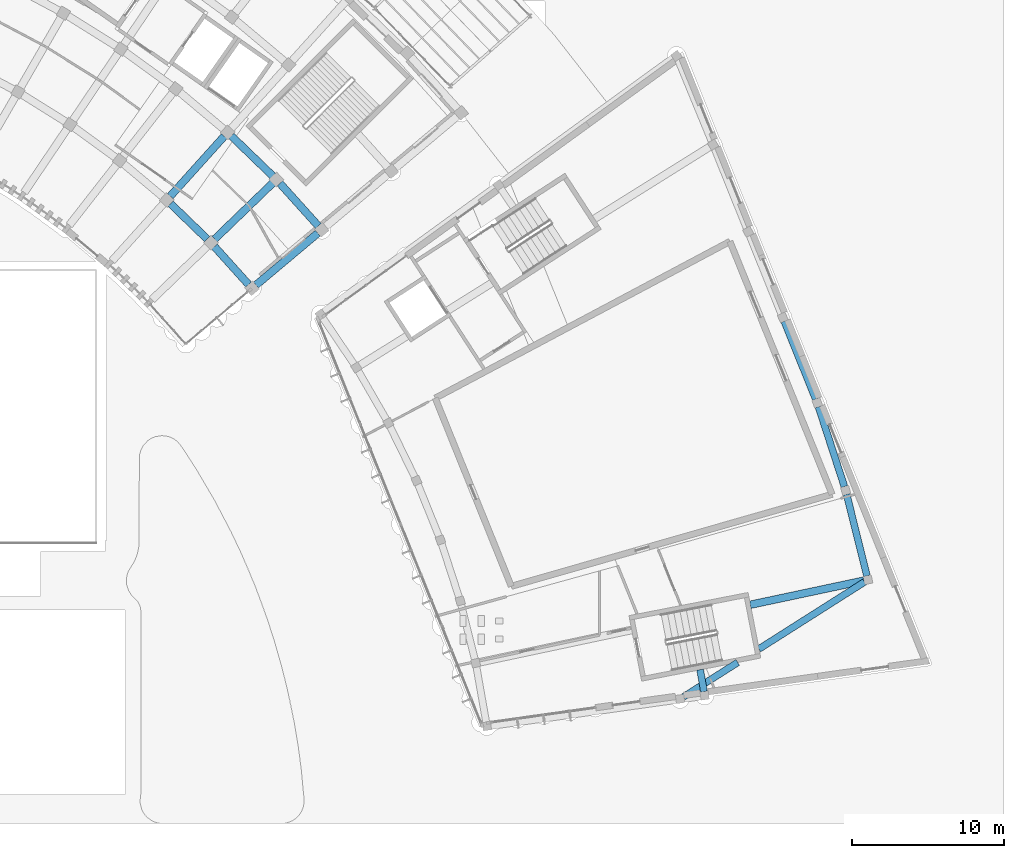
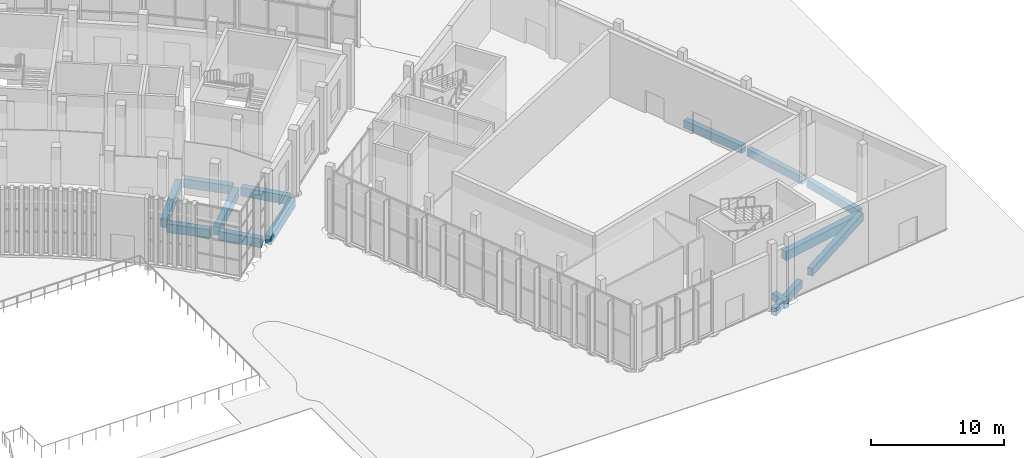
# One storey, part 52 of 155: 14 beams.
"""IFC4 building model written with IfcOpenShell, lengths in metres."""

import ifcopenshell
import ifcopenshell.guid

model = None  # the IFC model being written
_history = None  # IfcOwnerHistory: only IFC2X3 demands one
_inside = {}  # id of a spatial element -> (the spatial element, [elements in it])
_under = {}  # id of a project, library or spatial element -> (it, [spatial elements below it])
_declared = {}  # id of a project -> (the project, [libraries it declares])
_typed = {}  # id of a type object -> (the type object, [elements of that type])
_made_of = {}  # id of a material, layer set ... -> (it, [elements and type objects made of it])


def new_model(schema):
    """Start an empty IFC model of exactly this schema.

    Asked for "IFC4X3", IfcOpenShell would pick the latest addendum, in which some entities
    have other attributes; the version numbers below select the first issue.
    IFC2X3 requires an IfcOwnerHistory on every rooted entity: one is made here for all.
    """
    global model, _history
    if schema == "IFC4X3":
        model = ifcopenshell.file(schema_version=(4, 3, 0, 0))
    else:
        model = ifcopenshell.file(schema=schema)
    _inside.clear()
    _under.clear()
    _declared.clear()
    _typed.clear()
    _made_of.clear()
    _history = None
    if model.schema == "IFC2X3":
        org = make("IfcOrganization", Name="unknown")
        user = make(
            "IfcPersonAndOrganization",
            ThePerson=make("IfcPerson", FamilyName="unknown"),
            TheOrganization=org,
        )
        app = make(
            "IfcApplication",
            ApplicationDeveloper=org,
            Version="unknown",
            ApplicationFullName="unknown",
            ApplicationIdentifier="unknown",
        )
        _history = make(
            "IfcOwnerHistory",
            OwningUser=user,
            OwningApplication=app,
            ChangeAction="ADDED",
            CreationDate=0,
        )
    return model


def make(cls, **values):
    """One entity of the class cls with the attributes given. An attribute that is None is left unset."""
    return model.create_entity(
        cls, **{name: value for name, value in values.items() if value is not None}
    )


def rooted(cls, **values):
    """An entity with a GlobalId (a new one), such as an element, a storey or a relation."""
    return make(cls, GlobalId=ifcopenshell.guid.new(), OwnerHistory=_history, **values)


def si_unit(unit_type, name, prefix=None):
    """IfcSIUnit, for example si_unit("LENGTHUNIT", "METRE", prefix="MILLI")."""
    return make("IfcSIUnit", UnitType=unit_type, Prefix=prefix, Name=name)


def assignment(units):
    """IfcUnitAssignment: the units of a project."""
    return None if units is None else make("IfcUnitAssignment", Units=units)


def point(xyz):
    """IfcCartesianPoint."""
    return None if xyz is None else make("IfcCartesianPoint", Coordinates=xyz)


def direction(xyz):
    """IfcDirection."""
    return None if xyz is None else make("IfcDirection", DirectionRatios=xyz)


def frame(location, z_axis=None, x_axis=None):
    """IfcAxis2Placement3D, a coordinate frame: its origin and axes. An axis left out is left unset."""
    return make(
        "IfcAxis2Placement3D",
        Location=point(location),
        Axis=direction(z_axis),
        RefDirection=direction(x_axis),
    )


def frame_2d(location, x_axis=None):
    """IfcAxis2Placement2D, a coordinate frame in the plane: its origin and x axis."""
    return make(
        "IfcAxis2Placement2D", Location=point(location), RefDirection=direction(x_axis)
    )


def origin():
    """The frame at (0, 0, 0) with its axes left unset."""
    return frame((0.0, 0.0, 0.0))


def origin_2d():
    """The frame at (0, 0) in the plane with its x axis left unset."""
    return frame_2d((0.0, 0.0))


def place(relative_to, where):
    """IfcLocalPlacement: puts the frame where relative to a parent placement (None: the world)."""
    return make(
        "IfcLocalPlacement", PlacementRelTo=relative_to, RelativePlacement=where
    )


def context(
    kind, dimensions, precision=None, world=None, true_north=None, identifier=None
):
    """IfcGeometricRepresentationContext, for example the 3D "Model" context."""
    return make(
        "IfcGeometricRepresentationContext",
        ContextIdentifier=identifier,
        ContextType=kind,
        CoordinateSpaceDimension=dimensions,
        Precision=precision,
        WorldCoordinateSystem=world,
        TrueNorth=true_north,
    )


def subcontext(parent, identifier, kind, view, scale=None):
    """IfcGeometricRepresentationSubContext, for example "Body" below "Model"."""
    return make(
        "IfcGeometricRepresentationSubContext",
        ContextIdentifier=identifier,
        ContextType=kind,
        ParentContext=parent,
        TargetScale=scale,
        TargetView=view,
    )


def project(units=None, contexts=None):
    """IfcProject with its units and contexts."""
    return rooted(
        "IfcProject",
        Name="project",
        RepresentationContexts=contexts,
        UnitsInContext=assignment(units),
    )


def spatial(cls, under=None, at=None, **own):
    """A site, building, storey or space (cls), placed at a placement, below another one or the project."""
    s = rooted(cls, ObjectPlacement=at, **own)
    if under is not None:
        _under.setdefault(under.id(), (under, []))[1].append(s)
    return s


def profile(cls, at=None, kind="AREA", **sizes):
    """A parametric profile (cls). Its sizes go by their IFC names, for example OverallWidth=200.0."""
    return make(cls, ProfileType=kind, Position=at, **sizes)


def rectangle(**sizes):
    """IfcRectangleProfileDef."""
    return profile("IfcRectangleProfileDef", **sizes)


def extrude(swept, where, along, depth):
    """IfcExtrudedAreaSolid: the profile swept, set in the frame where, extruded along a direction by depth."""
    return make(
        "IfcExtrudedAreaSolid",
        SweptArea=swept,
        Position=where,
        ExtrudedDirection=direction(along),
        Depth=depth,
    )


def shape(context_of_items, identifier, shape_type, items):
    """IfcShapeRepresentation: the items that make up one representation, for example the "Body"."""
    return make(
        "IfcShapeRepresentation",
        ContextOfItems=context_of_items,
        RepresentationIdentifier=identifier,
        RepresentationType=shape_type,
        Items=items,
    )


def material(Name=None, Category=None):
    """IfcMaterial."""
    return make("IfcMaterial", Name=Name, Category=Category)


def material_profile(
    of_material, cross_section, Name=None, Category=None, Priority=None
):
    """IfcMaterialProfile: a cross section and its material."""
    return make(
        "IfcMaterialProfile",
        Name=Name,
        Material=of_material,
        Profile=cross_section,
        Priority=Priority,
        Category=Category,
    )


def profile_set(profiles, Name=None, composite=None):
    """IfcMaterialProfileSet."""
    return make(
        "IfcMaterialProfileSet",
        Name=Name,
        MaterialProfiles=profiles,
        CompositeProfile=composite,
    )


def made_of(thing, what):
    """Note that an element or type object is made of a material, layer set ...; save() writes the relation."""
    if what is not None:
        _made_of.setdefault(what.id(), (what, []))[1].append(thing)
    return thing


def type_object(cls, material=None, **own):
    """A type object (cls), such as IfcWallType, which elements share."""
    return made_of(rooted(cls, **own), material)


def element(
    cls,
    number,
    at=None,
    inside=None,
    cuts=None,
    type_object=None,
    material=None,
    context=None,
    identifier="Body",
    shape_type=None,
    held_by="IfcProductDefinitionShape",
    body=None,
    shapes=None,
    **own,
):
    """One element of the class cls, such as IfcWall. Its Tag is "e" and its number.

    at: its placement. inside: the storey or other place that contains it. cuts: it is an
    opening in that element (IfcRelVoidsElement). A single representation is given by context,
    identifier, shape_type and body (its items); several are given by shapes. held_by: the class
    of the entity that holds the representations. save() writes the other relations.
    """
    e = rooted(cls, Tag="e%d" % number, ObjectPlacement=at, **own)
    if body is not None:
        shapes = [shape(context, identifier, shape_type, body)]
    if shapes is not None:
        e.Representation = make(held_by, Representations=shapes)
    if inside is not None:
        _inside.setdefault(inside.id(), (inside, []))[1].append(e)
    if cuts is not None:
        rooted(
            "IfcRelVoidsElement", RelatingBuildingElement=cuts, RelatedOpeningElement=e
        )
    if type_object is not None:
        _typed.setdefault(type_object.id(), (type_object, []))[1].append(e)
    return made_of(e, material)


def aggregate(whole, parts):
    """IfcRelAggregates: a whole, such as a stair, and the parts it consists of."""
    return rooted("IfcRelAggregates", RelatingObject=whole, RelatedObjects=parts)


def save(model, path):
    """Write the relations noted so far, then the file.

    IfcRelAggregates (storeys below a building ...), IfcRelContainedInSpatialStructure (elements
    in a storey), IfcRelDefinesByType, IfcRelAssociatesMaterial and IfcRelDeclares: one each for
    every whole, place, type object, material and project.
    """
    for whole, parts in _under.values():
        aggregate(whole, parts)
    for where, things in _inside.values():
        rooted(
            "IfcRelContainedInSpatialStructure",
            RelatedElements=things,
            RelatingStructure=where,
        )
    for kind, things in _typed.values():
        rooted("IfcRelDefinesByType", RelatedObjects=things, RelatingType=kind)
    for what, things in _made_of.values():
        rooted("IfcRelAssociatesMaterial", RelatedObjects=things, RelatingMaterial=what)
    for by, libraries in _declared.values():
        rooted("IfcRelDeclares", RelatingContext=by, RelatedDefinitions=libraries)
    model.write(path)


model = new_model("IFC4")

# Units and contexts
model_context = context("Model", 3, precision=1e-05, world=origin(), true_north=direction((0.0, 1.0)))
body_context = subcontext(model_context, "Body", "Model", "MODEL_VIEW")
ifc_project = project(units=[si_unit("LENGTHUNIT", "METRE"), si_unit("AREAUNIT", "SQUARE_METRE"), si_unit("VOLUMEUNIT", "CUBIC_METRE"), si_unit("PLANEANGLEUNIT", "RADIAN"), si_unit("MASSUNIT", "GRAM", prefix="KILO")], contexts=[model_context])

# Site, building, storey
site_placement = place(None, origin())
site = spatial("IfcSite", under=ifc_project, at=site_placement, CompositionType="ELEMENT")
building_placement = place(site_placement, origin())
building = spatial("IfcBuilding", under=site, at=building_placement, Name="Lunette Opera House", CompositionType="ELEMENT")
storey_placement = place(building_placement, origin())
storey = spatial("IfcBuildingStorey", under=building, at=storey_placement, Name="L00", CompositionType="ELEMENT", Elevation=0.0)

# Beams
ifc_material_1 = material(Name="Concrete C35/45", Category="concrete")
ifc_material_profile_1 = material_profile(ifc_material_1, rectangle(XDim=0.449951171875, YDim=0.699951171875, at=origin_2d()), Name="RC BEAM 450X700")
ifc_profile_set_1 = profile_set([ifc_material_profile_1], Name="Concrete C35/45")
beam_type_1 = type_object("IfcBeamType", Name="RC BEAM 450X700", PredefinedType="BEAM", material=ifc_profile_set_1)
beam_1_placement = place(storey_placement, frame((169.968994140625, 12.14697265625, -0.570068359375), z_axis=(0.173520096669, -0.98483032856, 0.0), x_axis=(0.98483032856, 0.173520096669, 0.0)))
element("IfcBeam", 1, at=beam_1_placement, inside=storey, type_object=beam_type_1, Name="beam-SB-L00-L00-RG16", PredefinedType="BEAM", context=body_context, shape_type="SweptSolid", body=[
    extrude(rectangle(XDim=0.449951171875, YDim=0.699951171875, at=origin_2d()), origin(), (0.0, 0.0, 1.0), 1.47021484375),
])
beam_2_placement = place(storey_placement, frame((175.513916015625, 35.112060546875, -0.570068359375), z_axis=(0.374558549143, -0.927203264265, 0.0), x_axis=(0.927203264265, 0.374558549143, 0.0)))
element("IfcBeam", 2, at=beam_2_placement, inside=storey, type_object=beam_type_1, Name="beam-SB-L00-L00-RG23", PredefinedType="BEAM", context=body_context, shape_type="SweptSolid", body=[
    extrude(rectangle(XDim=0.449951171875, YDim=0.699951171875, at=origin_2d()), origin(), (0.0, 0.0, 1.0), 5.537109375),
])
beam_3_placement = place(storey_placement, frame((177.76904296875, 29.47998046875, -0.570068359375), z_axis=(0.30910401414, -0.951028237458, 0.0), x_axis=(0.951028237458, 0.30910401414, 0.0)))
element("IfcBeam", 3, at=beam_3_placement, inside=storey, type_object=beam_type_1, Name="beam-SB-L00-L00-RG24", PredefinedType="BEAM", context=body_context, shape_type="SweptSolid", body=[
    extrude(rectangle(XDim=0.449951171875, YDim=0.699951171875, at=origin_2d()), origin(), (0.0, 0.0, 1.0), 5.538330078125),
])
beam_4_placement = place(storey_placement, frame((179.626953125, 23.7041015625, -0.570068359375), z_axis=(0.241830131183, -0.970318601106, 0.0), x_axis=(0.970318601106, 0.241830131183, 0.0)))
element("IfcBeam", 4, at=beam_4_placement, inside=storey, type_object=beam_type_1, Name="beam-SB-L00-L00-RG25", PredefinedType="BEAM", context=body_context, shape_type="SweptSolid", body=[
    extrude(rectangle(XDim=0.449951171875, YDim=0.699951171875, at=origin_2d()), origin(), (0.0, 0.0, 1.0), 5.537353515625),
])
beam_5_placement = place(storey_placement, frame((180.806884765625, 17.931884765625, -0.570068359375), z_axis=(-0.844138835531, -0.536124636954, 0.0), x_axis=(0.536124636954, -0.844138835531, 0.0)))
element("IfcBeam", 5, at=beam_5_placement, inside=storey, type_object=beam_type_1, Name="beam-SB-L00-L00-RG26", PredefinedType="BEAM", context=body_context, shape_type="SweptSolid", body=[
    extrude(rectangle(XDim=0.449951171875, YDim=0.699951171875, at=origin_2d()), origin(), (0.0, 0.0, 1.0), 8.249755859375),
])
beam_6_placement = place(storey_placement, frame((172.445068359375, 12.6220703125, -0.570068359375), z_axis=(-0.844124171518, -0.536147725034, 0.0), x_axis=(0.536147725034, -0.844124171518, 0.0)))
element("IfcBeam", 6, at=beam_6_placement, inside=storey, type_object=beam_type_1, Name="beam-SB-L00-L00-RG26-1", PredefinedType="BEAM", context=body_context, shape_type="SweptSolid", body=[
    extrude(rectangle(XDim=0.449951171875, YDim=0.699951171875, at=origin_2d()), origin(), (0.0, 0.0, 1.0), 4.23388671875),
])
ifc_material_2 = material(Name="Concrete C35/45", Category="concrete")
ifc_material_profile_2 = material_profile(ifc_material_2, rectangle(XDim=0.5, YDim=0.800048828125, at=origin_2d()), Name="RC BEAM 500X800")
ifc_profile_set_2 = profile_set([ifc_material_profile_2], Name="Concrete C35/45")
beam_type_2 = type_object("IfcBeamType", Name="RC BEAM 500X800", PredefinedType="BEAM", material=ifc_profile_set_2)
beam_7_placement = place(storey_placement, frame((135.037109375, 43.35498046875, -0.6201171875), z_axis=(0.669081342806, 0.743189179623, 0.0), x_axis=(-0.743189179623, 0.669081342806, 0.0)))
element("IfcBeam", 7, at=beam_7_placement, inside=storey, type_object=beam_type_2, Name="beam-FC-L00-L00-RB-RL-24-2", PredefinedType="BEAM", context=body_context, shape_type="SweptSolid", body=[
    extrude(rectangle(XDim=0.5, YDim=0.800048828125, at=origin_2d()), origin(), (0.0, 0.0, 1.0), 5.320556640625),
])
beam_8_placement = place(storey_placement, frame((137.966064453125, 40.52587890625, -0.6201171875), z_axis=(0.719297872313, 0.694701785579, 0.0), x_axis=(-0.694701785579, 0.719297872313, 0.0)))
element("IfcBeam", 8, at=beam_8_placement, inside=storey, type_object=beam_type_2, Name="beam-FC-L00-L00-RB-RL-25-2", PredefinedType="BEAM", context=body_context, shape_type="SweptSolid", body=[
    extrude(rectangle(XDim=0.5, YDim=0.800048828125, at=origin_2d()), origin(), (0.0, 0.0, 1.0), 5.3203125),
])
beam_9_placement = place(storey_placement, frame((140.69091796875, 37.5, -0.6201171875), z_axis=(0.766004921062, 0.642834707299, 0.0), x_axis=(-0.642834707299, 0.766004921062, 0.0)))
element("IfcBeam", 9, at=beam_9_placement, inside=storey, type_object=beam_type_2, Name="beam-FC-L00-L00-RB-RL-26-2", PredefinedType="BEAM", context=body_context, shape_type="SweptSolid", body=[
    extrude(rectangle(XDim=0.5, YDim=0.800048828125, at=origin_2d()), origin(), (0.0, 0.0, 1.0), 5.320068359375),
])
beam_10_placement = place(storey_placement, frame((135.054931640625, 42.865966796875, -0.6201171875), z_axis=(0.719180338661, -0.69482345994, 0.0), x_axis=(0.69482345994, 0.719180338661, 0.0)))
element("IfcBeam", 10, at=beam_10_placement, inside=storey, type_object=beam_type_2, Name="beam-FC-L00-L00-RG-AR-M1-RL-24", PredefinedType="BEAM", context=body_context, shape_type="SweptSolid", body=[
    extrude(rectangle(XDim=0.5, YDim=0.800048828125, at=origin_2d()), origin(), (0.0, 0.0, 1.0), 3.367919921875),
])
beam_11_placement = place(storey_placement, frame((137.949951171875, 40.037109375, -0.6201171875), z_axis=(0.669120953551, -0.743153516791, 0.0), x_axis=(0.743153516791, 0.669120953551, 0.0)))
element("IfcBeam", 11, at=beam_11_placement, inside=storey, type_object=beam_type_2, Name="beam-FC-L00-L00-RG-AR-M1-RL-25", PredefinedType="BEAM", context=body_context, shape_type="SweptSolid", body=[
    extrude(rectangle(XDim=0.5, YDim=0.800048828125, at=origin_2d()), origin(), (0.0, 0.0, 1.0), 3.366943359375),
])
beam_12_placement = place(storey_placement, frame((139.069091796875, 47.324951171875, -0.6201171875), z_axis=(0.719281477896, -0.694718760043, 0.0), x_axis=(0.694718760043, 0.719281477896, 0.0)))
element("IfcBeam", 12, at=beam_12_placement, inside=storey, type_object=beam_type_2, Name="beam-FC-L00-L00-RG-AR-B-RL-24", PredefinedType="BEAM", context=body_context, shape_type="SweptSolid", body=[
    extrude(rectangle(XDim=0.5, YDim=0.800048828125, at=origin_2d()), origin(), (0.0, 0.0, 1.0), 3.786865234375),
])
beam_13_placement = place(storey_placement, frame((142.26611328125, 44.205078125, -0.6201171875), z_axis=(0.669021732106, -0.743242841856, 0.0), x_axis=(0.743242841856, 0.669021732106, 0.0)))
element("IfcBeam", 13, at=beam_13_placement, inside=storey, type_object=beam_type_2, Name="beam-FC-L00-L00-RG-AR-B-RL-25", PredefinedType="BEAM", context=body_context, shape_type="SweptSolid", body=[
    extrude(rectangle(XDim=0.5, YDim=0.800048828125, at=origin_2d()), origin(), (0.0, 0.0, 1.0), 3.7861328125),
])
beam_14_placement = place(storey_placement, frame((173.27587890625, 16.425048828125, -0.6201171875), z_axis=(0.978124828899, 0.208018795045, 0.0), x_axis=(-0.208018795045, 0.978124828899, 0.0)))
element("IfcBeam", 14, at=beam_14_placement, inside=storey, type_object=beam_type_2, Name="beam-SB-L00-L00-RB16", PredefinedType="BEAM", context=body_context, shape_type="SweptSolid", body=[
    extrude(rectangle(XDim=0.5, YDim=0.800048828125, at=origin_2d()), origin(), (0.0, 0.0, 1.0), 7.662841796875),
])

save(model, "model.ifc")
